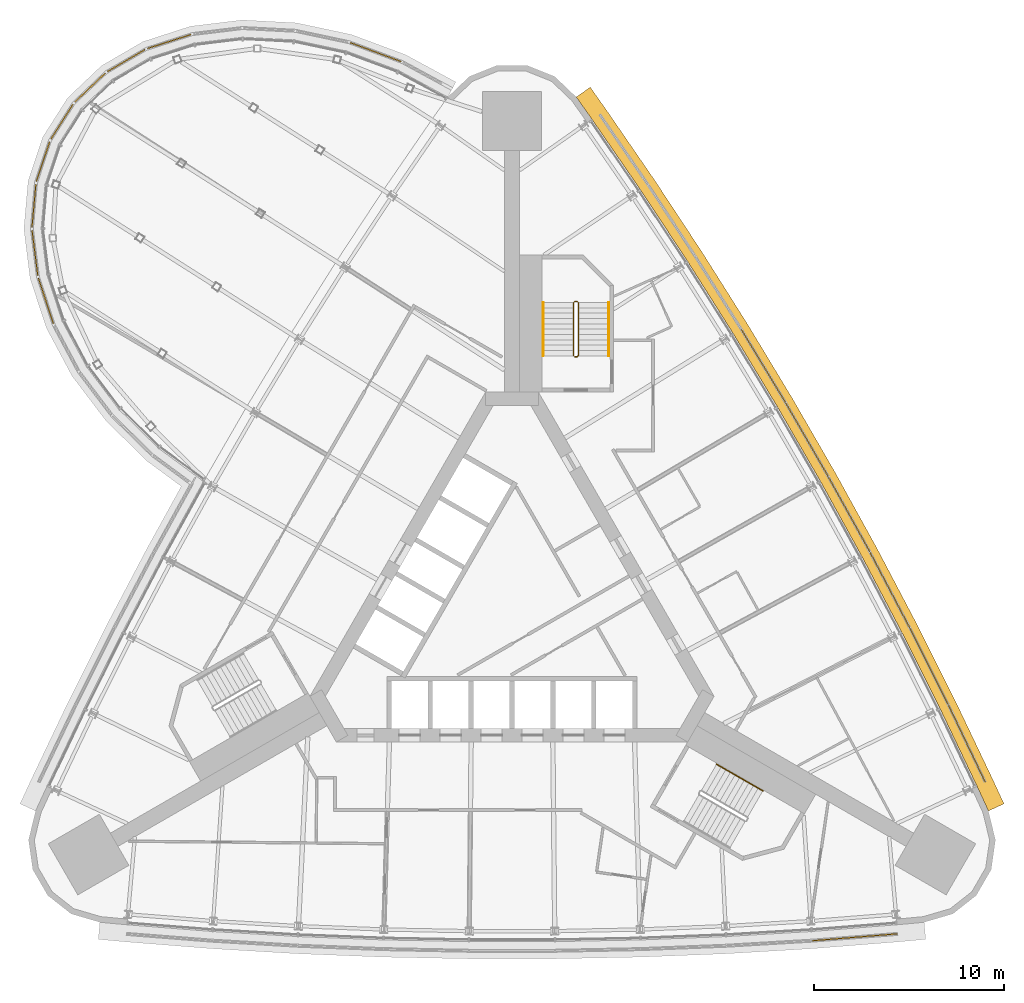
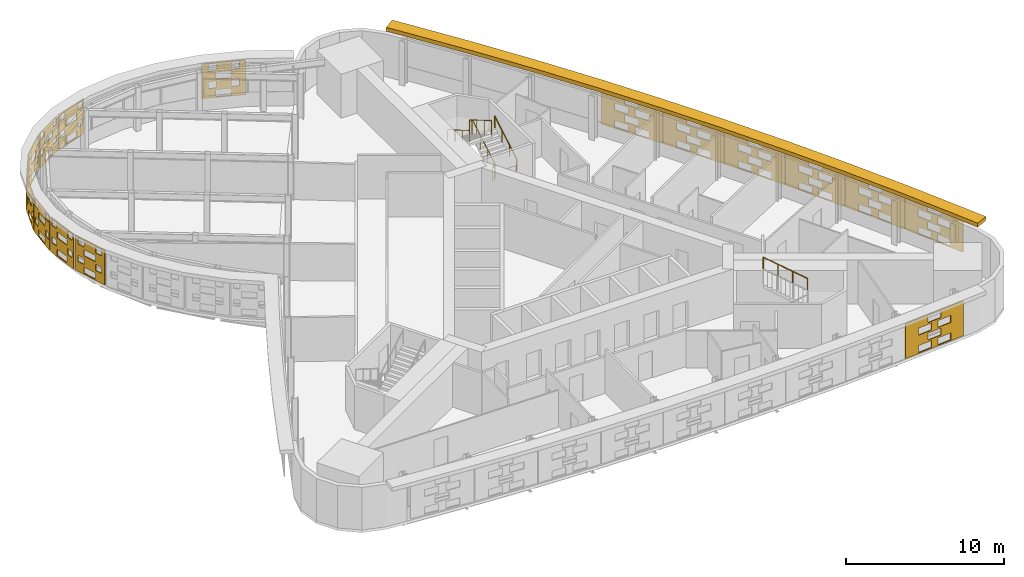
# One storey, part 16 of 17: 17 shading devices, 4 railings.
"""IFC4 building model written with IfcOpenShell, lengths in metres."""

from ifc_helpers import new_model, si_unit, direction, frame, origin, origin_2d, place, context, subcontext, project, spatial, polyline, circle, outline, extrude, material, layer, layer_set, material_profile, profile_set, type_object, element, save


model = new_model("IFC4")

# Units and contexts
model_context = context("Model", 3, precision=1e-05, world=origin(), true_north=direction((0.0, 1.0)))
body_context = subcontext(model_context, "Body", "Model", "MODEL_VIEW")
ifc_project = project(units=[si_unit("LENGTHUNIT", "METRE"), si_unit("AREAUNIT", "SQUARE_METRE"), si_unit("VOLUMEUNIT", "CUBIC_METRE"), si_unit("PLANEANGLEUNIT", "RADIAN"), si_unit("MASSUNIT", "GRAM", prefix="KILO")], contexts=[model_context])

# Site, building, storey
site_placement = place(None, origin())
site = spatial("IfcSite", under=ifc_project, at=site_placement, CompositionType="ELEMENT")
building_placement = place(site_placement, origin())
building = spatial("IfcBuilding", under=site, at=building_placement, Name="Noor Cloister Tower", CompositionType="ELEMENT")
storey_placement = place(building_placement, frame((0.0, 0.0, 102.300048828125)))
storey = spatial("IfcBuildingStorey", under=building, at=storey_placement, Name="L26", CompositionType="ELEMENT", Elevation=102.300048828125)

# Shading devices
ifc_material_1 = material(Name="Limestone", Category="masonry")
ifc_material_profile = material_profile(ifc_material_1, outline(polyline([(-2.22998046875, -1.35009765625), (2.22998046875, -1.35009765625), (2.22998046875, 1.35009765625), (-2.22998046875, 1.35009765625), (-2.22998046875, -1.35009765625)]), holes=[polyline([(-1.25, -1.282470703125), (-0.25, -1.282470703125), (-0.25, -0.742431640625), (-1.25, -0.742431640625), (-1.25, -1.282470703125)]), polyline([(0.25, -1.282470703125), (1.25, -1.282470703125), (1.25, -0.742431640625), (0.25, -0.742431640625), (0.25, -1.282470703125)]), polyline([(-0.5, -0.607421875), (0.5, -0.607421875), (0.5, -0.0673828125), (-0.5, -0.0673828125), (-0.5, -0.607421875)]), polyline([(-1.25, 0.0673828125), (-0.25, 0.0673828125), (-0.25, 0.607421875), (-1.25, 0.607421875), (-1.25, 0.0673828125)]), polyline([(0.25, 0.0673828125), (1.25, 0.0673828125), (1.25, 0.607421875), (0.25, 0.607421875), (0.25, 0.0673828125)]), polyline([(-0.5, 0.742431640625), (0.5, 0.742431640625), (0.5, 1.282470703125), (-0.5, 1.282470703125), (-0.5, 0.742431640625)])]), Name="Woven screen 28 percent open")
ifc_profile_set = profile_set([ifc_material_profile], Name="Limestone")
shading_device_type_1 = type_object("IfcShadingDeviceType", Name="SCREEN woven limestone 28 percent open", PredefinedType="USERDEFINED", material=ifc_profile_set)
for number, where, z_axis, x_axis, name in (
    (1, (18.015869140625, -17.15673828125, 1.849853515625), (0.081362009455, -0.996684615823, 0.0), (0.996684615823, 0.081362009455, 0.0), "SCREEN L26 9"),
    (2, (23.8662109375, -7.02392578125, 1.849853515625), (0.902409201061, 0.430880068975, 0.0), (-0.430880068975, 0.902409201061, 0.0), "SCREEN L26 1"),
    (3, (21.885986328125, -2.973388671875, 1.849853515625), (0.894427191, 0.4472135955, 0.0), (-0.4472135955, 0.894427191, 0.0), "SCREEN L26 2"),
):
    element("IfcShadingDevice", number, at=place(storey_placement, frame(where, z_axis=z_axis, x_axis=x_axis)), inside=storey, type_object=shading_device_type_1, Name=name, ObjectType="SCREEN", PredefinedType="USERDEFINED", context=body_context, shape_type="SweptSolid", body=[
        extrude(outline(polyline([(-2.22998046875, -1.35009765625), (2.22998046875, -1.35009765625), (2.22998046875, 1.35009765625), (-2.22998046875, 1.35009765625), (-2.22998046875, -1.35009765625)]), holes=[polyline([(-1.25, -1.282470703125), (-0.25, -1.282470703125), (-0.25, -0.742431640625), (-1.25, -0.742431640625), (-1.25, -1.282470703125)]), polyline([(0.25, -1.282470703125), (1.25, -1.282470703125), (1.25, -0.742431640625), (0.25, -0.742431640625), (0.25, -1.282470703125)]), polyline([(-0.5, -0.607421875), (0.5, -0.607421875), (0.5, -0.0673828125), (-0.5, -0.0673828125), (-0.5, -0.607421875)]), polyline([(-1.25, 0.0673828125), (-0.25, 0.0673828125), (-0.25, 0.607421875), (-1.25, 0.607421875), (-1.25, 0.0673828125)]), polyline([(0.25, 0.0673828125), (1.25, 0.0673828125), (1.25, 0.607421875), (0.25, 0.607421875), (0.25, 0.0673828125)]), polyline([(-0.5, 0.742431640625), (0.5, 0.742431640625), (0.5, 1.282470703125), (-0.5, 1.282470703125), (-0.5, 0.742431640625)])]), origin(), (0.0, 0.0, 1.0), 0.06005859375),
    ])
shading_device_1_placement = place(storey_placement, frame((19.82666015625, 1.037353515625, 1.849853515625), z_axis=(0.885271944608, 0.465073740486, 0.0), x_axis=(-0.465073740486, 0.885271944608, 0.0)))
element("IfcShadingDevice", 4, at=shading_device_1_placement, inside=storey, type_object=shading_device_type_1, Name="SCREEN L26 3", ObjectType="SCREEN", PredefinedType="USERDEFINED", context=body_context, shape_type="SweptSolid", body=[
    extrude(outline(polyline([(-2.22998046875, -1.35009765625), (2.22998046875, -1.35009765625), (2.22998046875, 1.35009765625), (-2.22998046875, 1.35009765625), (-2.22998046875, -1.35009765625)]), holes=[polyline([(-1.25, -1.282470703125), (-0.25, -1.282470703125), (-0.25, -0.742431640625), (-1.25, -0.742431640625), (-1.25, -1.282470703125)]), polyline([(0.25, -1.282470703125), (1.25, -1.282470703125), (1.25, -0.742431640625), (0.25, -0.742431640625), (0.25, -1.282470703125)]), polyline([(-0.5, -0.607421875), (0.5, -0.607421875), (0.5, -0.0673828125), (-0.5, -0.0673828125), (-0.5, -0.607421875)]), polyline([(-1.25, 0.0673828125), (-0.25, 0.0673828125), (-0.25, 0.607421875), (-1.25, 0.607421875), (-1.25, 0.0673828125)]), polyline([(0.25, 0.0673828125), (1.25, 0.0673828125), (1.25, 0.607421875), (0.25, 0.607421875), (0.25, 0.0673828125)]), polyline([(-0.5, 0.742431640625), (0.5, 0.742431640625), (0.5, 1.282470703125), (-0.5, 1.282470703125), (-0.5, 0.742431640625)])]), origin(), (0.0, 0.0, 1.0), 0.059814453125),
])
for number, where, z_axis, x_axis, name in (
    (5, (17.6884765625, 5.006591796875, 1.849853515625), (0.874923997532, 0.484260259099, 0.0), (-0.484260259099, 0.874923997532, 0.0), "SCREEN L26 4"),
    (6, (15.47265625, 8.93310546875, 1.849853515625), (0.865982457891, 0.500074377092, 0.0), (-0.500074377092, 0.865982457891, 0.0), "SCREEN L26 5"),
):
    element("IfcShadingDevice", number, at=place(storey_placement, frame(where, z_axis=z_axis, x_axis=x_axis)), inside=storey, type_object=shading_device_type_1, Name=name, ObjectType="SCREEN", PredefinedType="USERDEFINED", context=body_context, shape_type="SweptSolid", body=[
        extrude(outline(polyline([(-2.22998046875, -1.35009765625), (2.22998046875, -1.35009765625), (2.22998046875, 1.35009765625), (-2.22998046875, 1.35009765625), (-2.22998046875, -1.35009765625)]), holes=[polyline([(-1.25, -1.282470703125), (-0.25, -1.282470703125), (-0.25, -0.742431640625), (-1.25, -0.742431640625), (-1.25, -1.282470703125)]), polyline([(0.25, -1.282470703125), (1.25, -1.282470703125), (1.25, -0.742431640625), (0.25, -0.742431640625), (0.25, -1.282470703125)]), polyline([(-0.5, -0.607421875), (0.5, -0.607421875), (0.5, -0.0673828125), (-0.5, -0.0673828125), (-0.5, -0.607421875)]), polyline([(-1.25, 0.0673828125), (-0.25, 0.0673828125), (-0.25, 0.607421875), (-1.25, 0.607421875), (-1.25, 0.0673828125)]), polyline([(0.25, 0.0673828125), (1.25, 0.0673828125), (1.25, 0.607421875), (0.25, 0.607421875), (0.25, 0.0673828125)]), polyline([(-0.5, 0.742431640625), (0.5, 0.742431640625), (0.5, 1.282470703125), (-0.5, 1.282470703125), (-0.5, 0.742431640625)])]), origin(), (0.0, 0.0, 1.0), 0.06005859375),
    ])
shading_device_2_placement = place(storey_placement, frame((13.18017578125, 12.8154296875, 1.849853515625), z_axis=(0.855690023312, 0.517488728384, 0.0), x_axis=(-0.517488728384, 0.855690023312, 0.0)))
element("IfcShadingDevice", 7, at=shading_device_2_placement, inside=storey, type_object=shading_device_type_1, Name="SCREEN L26 6", ObjectType="SCREEN", PredefinedType="USERDEFINED", context=body_context, shape_type="SweptSolid", body=[
    extrude(outline(polyline([(-2.22998046875, -1.35009765625), (2.22998046875, -1.35009765625), (2.22998046875, 1.35009765625), (-2.22998046875, 1.35009765625), (-2.22998046875, -1.35009765625)]), holes=[polyline([(-1.25, -1.282470703125), (-0.25, -1.282470703125), (-0.25, -0.742431640625), (-1.25, -0.742431640625), (-1.25, -1.282470703125)]), polyline([(0.25, -1.282470703125), (1.25, -1.282470703125), (1.25, -0.742431640625), (0.25, -0.742431640625), (0.25, -1.282470703125)]), polyline([(-0.5, -0.607421875), (0.5, -0.607421875), (0.5, -0.0673828125), (-0.5, -0.0673828125), (-0.5, -0.607421875)]), polyline([(-1.25, 0.0673828125), (-0.25, 0.0673828125), (-0.25, 0.607421875), (-1.25, 0.607421875), (-1.25, 0.0673828125)]), polyline([(0.25, 0.0673828125), (1.25, 0.0673828125), (1.25, 0.607421875), (0.25, 0.607421875), (0.25, 0.0673828125)]), polyline([(-0.5, 0.742431640625), (0.5, 0.742431640625), (0.5, 1.282470703125), (-0.5, 1.282470703125), (-0.5, 0.742431640625)])]), origin(), (0.0, 0.0, 1.0), 0.059814453125),
])
ifc_material_2 = material(Name="Limestone", Category="masonry")
ifc_layer = layer(ifc_material_2, 0.06005859375)
ifc_layer_set = layer_set([ifc_layer], Name="SCREEN woven limestone pod 28 percent open")
shading_device_type_2 = type_object("IfcShadingDeviceType", Name="SCREEN woven limestone pod 28 percent open", PredefinedType="USERDEFINED", material=ifc_layer_set)
shading_device_3_placement = place(storey_placement, frame((-7.169677734375, 29.285888671875, 1.849853515625), z_axis=(0.348899454527, 0.937160162742, 0.0), x_axis=(-0.937160162742, 0.348899454527, 0.0)))
element("IfcShadingDevice", 8, at=shading_device_3_placement, inside=storey, type_object=shading_device_type_2, Name="SCREEN L26 2", ObjectType="SCREEN", PredefinedType="USERDEFINED", context=body_context, shape_type="SweptSolid", body=[
    extrude(outline(polyline([(-1.431640625, -1.35009765625), (1.431640625, -1.35009765625), (1.431640625, 1.35009765625), (-1.431640625, 1.35009765625), (-1.431640625, -1.35009765625)]), holes=[polyline([(-0.5, -1.282470703125), (0.5, -1.282470703125), (0.5, -0.742431640625), (-0.5, -0.742431640625), (-0.5, -1.282470703125)]), polyline([(-1.0, -0.607421875), (-0.5, -0.607421875), (-0.5, -0.0673828125), (-1.0, -0.0673828125), (-1.0, -0.607421875)]), polyline([(0.5, -0.607421875), (1.0, -0.607421875), (1.0, -0.0673828125), (0.5, -0.0673828125), (0.5, -0.607421875)]), polyline([(-0.5, 0.0673828125), (0.5, 0.0673828125), (0.5, 0.607421875), (-0.5, 0.607421875), (-0.5, 0.0673828125)]), polyline([(-1.0, 0.742431640625), (-0.5, 0.742431640625), (-0.5, 1.282470703125), (-1.0, 1.282470703125), (-1.0, 0.742431640625)]), polyline([(0.5, 0.742431640625), (1.0, 0.742431640625), (1.0, 1.282470703125), (0.5, 1.282470703125), (0.5, 0.742431640625)])]), origin(), (0.0, 0.0, 1.0), 0.06005859375),
])
shading_device_4_placement = place(storey_placement, frame((-17.99951171875, 29.841796875, 1.849853515625), z_axis=(-0.305218682065, 0.952282288042, 0.0), x_axis=(-0.952282288042, -0.305218682065, 0.0)))
element("IfcShadingDevice", 9, at=shading_device_4_placement, inside=storey, type_object=shading_device_type_2, Name="SCREEN L26 6", ObjectType="SCREEN", PredefinedType="USERDEFINED", context=body_context, shape_type="SweptSolid", body=[
    extrude(outline(polyline([(-1.198486328125, -1.35009765625), (1.198486328125, -1.35009765625), (1.198486328125, 1.35009765625), (-1.198486328125, 1.35009765625), (-1.198486328125, -1.35009765625)]), holes=[polyline([(-0.5, -1.251220703125), (0.5, -1.251220703125), (0.5, -0.773681640625), (-0.5, -0.773681640625), (-0.5, -1.251220703125)]), polyline([(0.60009765625, -0.576416015625), (1.048583984375, -0.576416015625), (1.048583984375, -0.0986328125), (0.60009765625, -0.0986328125), (0.60009765625, -0.576416015625)]), polyline([(-1.048583984375, -0.576416015625), (-0.60009765625, -0.576416015625), (-0.60009765625, -0.0986328125), (-1.048583984375, -0.0986328125), (-1.048583984375, -0.576416015625)]), polyline([(-0.5, 0.0986328125), (0.5, 0.0986328125), (0.5, 0.576416015625), (-0.5, 0.576416015625), (-0.5, 0.0986328125)]), polyline([(0.60009765625, 0.773681640625), (1.048583984375, 0.773681640625), (1.048583984375, 1.251220703125), (0.60009765625, 1.251220703125), (0.60009765625, 0.773681640625)]), polyline([(-1.048583984375, 0.773681640625), (-0.60009765625, 0.773681640625), (-0.60009765625, 1.251220703125), (-1.048583984375, 1.251220703125), (-1.048583984375, 0.773681640625)])]), origin(), (0.0, 0.0, 1.0), 0.06005859375),
])
shading_device_5_placement = place(storey_placement, frame((-20.248291015625, 28.844970703125, 1.849853515625), z_axis=(-0.504883315038, 0.863187603129, 0.0), x_axis=(-0.863187603129, -0.504883315038, 0.0)))
element("IfcShadingDevice", 10, at=shading_device_5_placement, inside=storey, type_object=shading_device_type_2, Name="SCREEN L26 7", ObjectType="SCREEN", PredefinedType="USERDEFINED", context=body_context, shape_type="SweptSolid", body=[
    extrude(outline(polyline([(-1.13916015625, -1.35009765625), (1.13916015625, -1.35009765625), (1.13916015625, 1.35009765625), (-1.13916015625, 1.35009765625), (-1.13916015625, -1.35009765625)]), holes=[polyline([(-0.5, -1.254638671875), (0.5, -1.254638671875), (0.5, -0.770263671875), (-0.5, -0.770263671875), (-0.5, -1.254638671875)]), polyline([(0.60009765625, -0.57958984375), (0.9892578125, -0.57958984375), (0.9892578125, -0.095458984375), (0.60009765625, -0.095458984375), (0.60009765625, -0.57958984375)]), polyline([(-0.9892578125, -0.57958984375), (-0.60009765625, -0.57958984375), (-0.60009765625, -0.095458984375), (-0.9892578125, -0.095458984375), (-0.9892578125, -0.57958984375)]), polyline([(-0.5, 0.095458984375), (0.5, 0.095458984375), (0.5, 0.57958984375), (-0.5, 0.57958984375), (-0.5, 0.095458984375)]), polyline([(0.60009765625, 0.770263671875), (0.9892578125, 0.770263671875), (0.9892578125, 1.254638671875), (0.60009765625, 1.254638671875), (0.60009765625, 0.770263671875)]), polyline([(-0.9892578125, 0.770263671875), (-0.60009765625, 0.770263671875), (-0.60009765625, 1.254638671875), (-0.9892578125, 1.254638671875), (-0.9892578125, 0.770263671875)])]), origin(), (0.0, 0.0, 1.0), 0.06005859375),
])
shading_device_6_placement = place(storey_placement, frame((-22.145263671875, 27.42919921875, 1.849853515625), z_axis=(-0.688535283471, 0.725202842945, 0.0), x_axis=(-0.725202842945, -0.688535283471, 0.0)))
element("IfcShadingDevice", 11, at=shading_device_6_placement, inside=storey, type_object=shading_device_type_2, Name="SCREEN L26 8", ObjectType="SCREEN", PredefinedType="USERDEFINED", context=body_context, shape_type="SweptSolid", body=[
    extrude(outline(polyline([(-1.098388671875, -1.35009765625), (1.098388671875, -1.35009765625), (1.098388671875, 1.35009765625), (-1.098388671875, 1.35009765625), (-1.098388671875, -1.35009765625)]), holes=[polyline([(-0.5, -1.257080078125), (0.5, -1.257080078125), (0.5, -0.767822265625), (-0.5, -0.767822265625), (-0.5, -1.257080078125)]), polyline([(0.60009765625, -0.582275390625), (0.948486328125, -0.582275390625), (0.948486328125, -0.0927734375), (0.60009765625, -0.0927734375), (0.60009765625, -0.582275390625)]), polyline([(-0.948486328125, -0.582275390625), (-0.60009765625, -0.582275390625), (-0.60009765625, -0.0927734375), (-0.948486328125, -0.0927734375), (-0.948486328125, -0.582275390625)]), polyline([(-0.5, 0.0927734375), (0.5, 0.0927734375), (0.5, 0.582275390625), (-0.5, 0.582275390625), (-0.5, 0.0927734375)]), polyline([(0.60009765625, 0.767822265625), (0.948486328125, 0.767822265625), (0.948486328125, 1.257080078125), (0.60009765625, 1.257080078125), (0.60009765625, 0.767822265625)]), polyline([(-0.948486328125, 0.767822265625), (-0.60009765625, 0.767822265625), (-0.60009765625, 1.257080078125), (-0.948486328125, 1.257080078125), (-0.948486328125, 0.767822265625)])]), origin(), (0.0, 0.0, 1.0), 0.059814453125),
])
shading_device_7_placement = place(storey_placement, frame((-23.617919921875, 25.642578125, 1.849853515625), z_axis=(-0.844329420183, 0.535824439731, 0.0), x_axis=(-0.535824439731, -0.844329420183, 0.0)))
element("IfcShadingDevice", 12, at=shading_device_7_placement, inside=storey, type_object=shading_device_type_2, Name="SCREEN L26 9", ObjectType="SCREEN", PredefinedType="USERDEFINED", context=body_context, shape_type="SweptSolid", body=[
    extrude(outline(polyline([(-1.083740234375, -1.35009765625), (1.083740234375, -1.35009765625), (1.083740234375, 1.35009765625), (-1.083740234375, 1.35009765625), (-1.083740234375, -1.35009765625)]), holes=[polyline([(-0.5, -1.258056640625), (0.5, -1.258056640625), (0.5, -0.766845703125), (-0.5, -0.766845703125), (-0.5, -1.258056640625)]), polyline([(0.60009765625, -0.583251953125), (0.933837890625, -0.583251953125), (0.933837890625, -0.091796875), (0.60009765625, -0.091796875), (0.60009765625, -0.583251953125)]), polyline([(-0.933837890625, -0.583251953125), (-0.60009765625, -0.583251953125), (-0.60009765625, -0.091796875), (-0.933837890625, -0.091796875), (-0.933837890625, -0.583251953125)]), polyline([(-0.5, 0.091796875), (0.5, 0.091796875), (0.5, 0.583251953125), (-0.5, 0.583251953125), (-0.5, 0.091796875)]), polyline([(0.60009765625, 0.766845703125), (0.933837890625, 0.766845703125), (0.933837890625, 1.258056640625), (0.60009765625, 1.258056640625), (0.60009765625, 0.766845703125)]), polyline([(-0.933837890625, 0.766845703125), (-0.60009765625, 0.766845703125), (-0.60009765625, 1.258056640625), (-0.933837890625, 1.258056640625), (-0.933837890625, 0.766845703125)])]), origin(), (0.0, 0.0, 1.0), 0.06005859375),
])
shading_device_8_placement = place(storey_placement, frame((-24.610107421875, 23.55029296875, 1.849853515625), z_axis=(-0.94827552716, 0.317448459736, 0.0), x_axis=(-0.317448459736, -0.94827552716, 0.0)))
element("IfcShadingDevice", 13, at=shading_device_8_placement, inside=storey, type_object=shading_device_type_2, Name="SCREEN L26 10", ObjectType="SCREEN", PredefinedType="USERDEFINED", context=body_context, shape_type="SweptSolid", body=[
    extrude(outline(polyline([(-1.098388671875, -1.35009765625), (1.098388671875, -1.35009765625), (1.098388671875, 1.35009765625), (-1.098388671875, 1.35009765625), (-1.098388671875, -1.35009765625)]), holes=[polyline([(-0.5, -1.257080078125), (0.5, -1.257080078125), (0.5, -0.767822265625), (-0.5, -0.767822265625), (-0.5, -1.257080078125)]), polyline([(0.60009765625, -0.582275390625), (0.948486328125, -0.582275390625), (0.948486328125, -0.0927734375), (0.60009765625, -0.0927734375), (0.60009765625, -0.582275390625)]), polyline([(-0.948486328125, -0.582275390625), (-0.60009765625, -0.582275390625), (-0.60009765625, -0.0927734375), (-0.948486328125, -0.0927734375), (-0.948486328125, -0.582275390625)]), polyline([(-0.5, 0.0927734375), (0.5, 0.0927734375), (0.5, 0.582275390625), (-0.5, 0.582275390625), (-0.5, 0.0927734375)]), polyline([(0.60009765625, 0.767822265625), (0.948486328125, 0.767822265625), (0.948486328125, 1.257080078125), (0.60009765625, 1.257080078125), (0.60009765625, 0.767822265625)]), polyline([(-0.948486328125, 0.767822265625), (-0.60009765625, 0.767822265625), (-0.60009765625, 1.257080078125), (-0.948486328125, 1.257080078125), (-0.948486328125, 0.767822265625)])]), origin(), (0.0, 0.0, 1.0), 0.06005859375),
])
shading_device_9_placement = place(storey_placement, frame((-25.08642578125, 21.23193359375, 1.849853515625), z_axis=(-0.995959849254, 0.089799658539, 0.0), x_axis=(-0.089799658539, -0.995959849254, 0.0)))
element("IfcShadingDevice", 14, at=shading_device_9_placement, inside=storey, type_object=shading_device_type_2, Name="SCREEN L26 11", ObjectType="SCREEN", PredefinedType="USERDEFINED", context=body_context, shape_type="SweptSolid", body=[
    extrude(outline(polyline([(-1.13916015625, -1.35009765625), (1.13916015625, -1.35009765625), (1.13916015625, 1.35009765625), (-1.13916015625, 1.35009765625), (-1.13916015625, -1.35009765625)]), holes=[polyline([(-0.5, -1.254638671875), (0.5, -1.254638671875), (0.5, -0.770263671875), (-0.5, -0.770263671875), (-0.5, -1.254638671875)]), polyline([(0.60009765625, -0.57958984375), (0.9892578125, -0.57958984375), (0.9892578125, -0.095458984375), (0.60009765625, -0.095458984375), (0.60009765625, -0.57958984375)]), polyline([(-0.9892578125, -0.57958984375), (-0.60009765625, -0.57958984375), (-0.60009765625, -0.095458984375), (-0.9892578125, -0.095458984375), (-0.9892578125, -0.57958984375)]), polyline([(-0.5, 0.095458984375), (0.5, 0.095458984375), (0.5, 0.57958984375), (-0.5, 0.57958984375), (-0.5, 0.095458984375)]), polyline([(0.60009765625, 0.770263671875), (0.9892578125, 0.770263671875), (0.9892578125, 1.254638671875), (0.60009765625, 1.254638671875), (0.60009765625, 0.770263671875)]), polyline([(-0.9892578125, 0.770263671875), (-0.60009765625, 0.770263671875), (-0.60009765625, 1.254638671875), (-0.9892578125, 1.254638671875), (-0.9892578125, 0.770263671875)])]), origin(), (0.0, 0.0, 1.0), 0.059814453125),
])
shading_device_10_placement = place(storey_placement, frame((-25.033935546875, 18.7724609375, 1.849853515625), z_axis=(-0.992025662364, -0.126036047268, 0.0), x_axis=(0.126036047268, -0.992025662364, 0.0)))
element("IfcShadingDevice", 15, at=shading_device_10_placement, inside=storey, type_object=shading_device_type_2, Name="SCREEN L26 12", ObjectType="SCREEN", PredefinedType="USERDEFINED", context=body_context, shape_type="SweptSolid", body=[
    extrude(outline(polyline([(-1.198486328125, -1.35009765625), (1.198486328125, -1.35009765625), (1.198486328125, 1.35009765625), (-1.198486328125, 1.35009765625), (-1.198486328125, -1.35009765625)]), holes=[polyline([(-0.5, -1.251220703125), (0.5, -1.251220703125), (0.5, -0.773681640625), (-0.5, -0.773681640625), (-0.5, -1.251220703125)]), polyline([(0.60009765625, -0.576416015625), (1.048583984375, -0.576416015625), (1.048583984375, -0.0986328125), (0.60009765625, -0.0986328125), (0.60009765625, -0.576416015625)]), polyline([(-1.048583984375, -0.576416015625), (-0.60009765625, -0.576416015625), (-0.60009765625, -0.0986328125), (-1.048583984375, -0.0986328125), (-1.048583984375, -0.576416015625)]), polyline([(-0.5, 0.0986328125), (0.5, 0.0986328125), (0.5, 0.576416015625), (-0.5, 0.576416015625), (-0.5, 0.0986328125)]), polyline([(0.60009765625, 0.773681640625), (1.048583984375, 0.773681640625), (1.048583984375, 1.251220703125), (0.60009765625, 1.251220703125), (0.60009765625, 0.773681640625)]), polyline([(-1.048583984375, 0.773681640625), (-0.60009765625, 0.773681640625), (-0.60009765625, 1.251220703125), (-1.048583984375, 1.251220703125), (-1.048583984375, 0.773681640625)])]), origin(), (0.0, 0.0, 1.0), 0.06005859375),
])
shading_device_11_placement = place(storey_placement, frame((-24.46044921875, 16.257568359375, 1.849853515625), z_axis=(-0.949495164524, -0.313781663813, 0.0), x_axis=(0.313781663813, -0.949495164524, 0.0)))
element("IfcShadingDevice", 16, at=shading_device_11_placement, inside=storey, type_object=shading_device_type_2, Name="SCREEN L26 13", ObjectType="SCREEN", PredefinedType="USERDEFINED", context=body_context, shape_type="SweptSolid", body=[
    extrude(outline(polyline([(-1.266357421875, -1.35009765625), (1.266357421875, -1.35009765625), (1.266357421875, 1.35009765625), (-1.266357421875, 1.35009765625), (-1.266357421875, -1.35009765625)]), holes=[polyline([(-0.5, -1.251708984375), (0.5, -1.251708984375), (0.5, -0.773193359375), (-0.5, -0.773193359375), (-0.5, -1.251708984375)]), polyline([(-1.0, -0.576904296875), (-0.5, -0.576904296875), (-0.5, -0.09814453125), (-1.0, -0.09814453125), (-1.0, -0.576904296875)]), polyline([(0.5, -0.576904296875), (1.0, -0.576904296875), (1.0, -0.09814453125), (0.5, -0.09814453125), (0.5, -0.576904296875)]), polyline([(-0.5, 0.09814453125), (0.5, 0.09814453125), (0.5, 0.576904296875), (-0.5, 0.576904296875), (-0.5, 0.09814453125)]), polyline([(-1.0, 0.773193359375), (-0.5, 0.773193359375), (-0.5, 1.251708984375), (-1.0, 1.251708984375), (-1.0, 0.773193359375)]), polyline([(0.5, 0.773193359375), (1.0, 0.773193359375), (1.0, 1.251708984375), (0.5, 1.251708984375), (0.5, 0.773193359375)])]), origin(), (0.0, 0.0, 1.0), 0.059814453125),
])
ifc_material_3 = material(Name="Limestone", Category="masonry")
shading_device_type_3 = type_object("IfcShadingDeviceType", Name="SUNSHADE limestone band 900", PredefinedType="USERDEFINED", material=ifc_material_3)
shading_device_12_placement = place(storey_placement, frame((0.0, 0.0, 3.300048828125)))
element("IfcShadingDevice", 17, at=shading_device_12_placement, inside=storey, type_object=shading_device_type_3, Name="SUNSHADE L26 3", ObjectType="SUNSHADE", PredefinedType="USERDEFINED", context=body_context, shape_type="SweptSolid", body=[
    extrude(outline(polyline([(25.846923828125, -10.17626953125), (25.2431640625, -8.866455078125), (23.30029296875, -4.791259765625), (21.2763671875, -0.75244140625), (19.17333984375, 3.245849609375), (16.991943359375, 7.201904296875), (14.733154296875, 11.114501953125), (12.397705078125, 14.981689453125), (9.986572265625, 18.802001953125), (7.5009765625, 22.57421875), (4.943115234375, 26.29443359375), (4.110595703125, 27.47216796875), (3.37548828125, 26.95263671875), (4.204833984375, 25.77978515625), (6.754150390625, 22.07177734375), (9.230224609375, 18.314208984375), (11.6318359375, 14.5087890625), (13.9580078125, 10.65673828125), (16.2080078125, 6.759765625), (18.380859375, 2.819091796875), (20.475830078125, -1.16357421875), (22.49169921875, -5.1865234375), (24.42822265625, -9.24853515625), (25.029541015625, -10.552978515625), (25.846923828125, -10.17626953125)])), origin(), (0.0, 0.0, 1.0), 0.2998046875),
])

# Railings
ifc_material_4 = material(Name="Stainless steel", Category="steel")
railing_type_1 = type_object("IfcRailingType", Name="Stair guard 1100", PredefinedType="GUARDRAIL", material=ifc_material_4)
railing_1_placement = place(storey_placement, frame((3.435546875, 13.306396484375, 0.0)))
element("IfcRailing", 18, at=railing_1_placement, inside=storey, type_object=railing_type_1, Name="Stair guard ST1 L26", PredefinedType="GUARDRAIL", context=body_context, shape_type="SweptSolid", body=[
    extrude(circle(Radius=0.02392578125, at=origin_2d()), frame((0.0, 0.0, 1.076171875), z_axis=(-1.0, 0.0, 0.0), x_axis=(0.0, -1.0, 0.0)), (0.0, 0.0, 1.0), 0.14990234375),
    extrude(circle(Radius=0.02392578125, at=origin_2d()), frame((-0.14990234375, 0.0, 1.076171875), z_axis=(0.759870394187, 0.190199549216, 0.621627795), x_axis=(-0.242814311512, 0.970072785993, 0.0)), (0.0, 0.0, 1.0), 0.26318359375),
    extrude(circle(Radius=0.02392578125, at=origin_2d()), frame((0.050048828125, 0.050048828125, 1.23974609375), z_axis=(0.0, 0.863360870873, 0.504586966384), x_axis=(-1.0, 0.0, 0.0)), (0.0, 0.0, 1.0), 3.2431640625),
    extrude(circle(Radius=0.02392578125, at=origin_2d()), frame((0.050048828125, 2.85009765625, 2.8759765625), z_axis=(-0.708833529934, 0.705375805398, 0.0), x_axis=(-0.705375805398, -0.708833529934, 0.0)), (0.0, 0.0, 1.0), 0.070556640625),
    extrude(circle(Radius=0.02392578125, at=origin_2d()), frame((0.0, 2.89990234375, 2.8759765625), z_axis=(-1.0, 0.0, 0.0), x_axis=(0.0, -1.0, 0.0)), (0.0, 0.0, 1.0), 0.14990234375),
    extrude(circle(Radius=0.02392578125, at=origin_2d()), frame((-0.14990234375, 2.89990234375, 2.8759765625), z_axis=(-0.280916556609, -0.279546231943, 0.91811752648), x_axis=(0.705375805398, -0.708833529934, 0.0)), (0.0, 0.0, 1.0), 0.17822265625),
    extrude(circle(Radius=0.02392578125, at=origin_2d()), frame((-0.199951171875, 2.85009765625, 3.03955078125), z_axis=(0.0, -0.863393664356, 0.504530851732), x_axis=(1.0, 0.0, 0.0)), (0.0, 0.0, 1.0), 3.2431640625),
    extrude(circle(Radius=0.02099609375, at=origin_2d()), origin(), (0.0, 0.0, 1.0), 1.052001953125),
    extrude(circle(Radius=0.02099609375, at=origin_2d()), frame((-0.14990234375, 0.0, 0.0)), (0.0, 0.0, 1.0), 1.052001953125),
    extrude(circle(Radius=0.02099609375, at=origin_2d()), frame((0.050048828125, 0.050048828125, 0.16357421875)), (0.0, 0.0, 1.0), 1.052001953125),
    extrude(circle(Radius=0.02099609375, at=origin_2d()), frame((0.050048828125, 0.9833984375, 0.708984375)), (0.0, 0.0, 1.0), 1.052001953125),
    extrude(circle(Radius=0.02099609375, at=origin_2d()), frame((0.050048828125, 1.916748046875, 1.254638671875)), (0.0, 0.0, 1.0), 1.052001953125),
    extrude(circle(Radius=0.02099609375, at=origin_2d()), frame((0.050048828125, 2.85009765625, 1.800048828125)), (0.0, 0.0, 1.0), 1.052001953125),
    extrude(circle(Radius=0.02099609375, at=origin_2d()), frame((0.0, 2.89990234375, 1.800048828125)), (0.0, 0.0, 1.0), 1.052001953125),
    extrude(circle(Radius=0.02099609375, at=origin_2d()), frame((-0.14990234375, 2.89990234375, 1.800048828125)), (0.0, 0.0, 1.0), 1.052001953125),
    extrude(circle(Radius=0.02099609375, at=origin_2d()), frame((-0.199951171875, 2.85009765625, 1.963623046875)), (0.0, 0.0, 1.0), 1.052001953125),
    extrude(circle(Radius=0.02099609375, at=origin_2d()), frame((-0.199951171875, 1.916748046875, 2.509033203125)), (0.0, 0.0, 1.0), 1.052001953125),
    extrude(circle(Radius=0.02099609375, at=origin_2d()), frame((-0.199951171875, 0.9833984375, 3.054443359375)), (0.0, 0.0, 1.0), 1.052001953125),
    extrude(circle(Radius=0.02099609375, at=origin_2d()), frame((-0.199951171875, 0.050048828125, 3.599853515625)), (0.0, 0.0, 1.0), 1.052001953125),
])
ifc_material_5 = material(Name="Stainless steel", Category="steel")
railing_type_2 = type_object("IfcRailingType", Name="Stair handrail 900", PredefinedType="HANDRAIL", material=ifc_material_5)
railing_2_placement = place(storey_placement, frame((5.085693359375, 13.3564453125, 0.16357421875)))
element("IfcRailing", 19, at=railing_2_placement, inside=storey, type_object=railing_type_2, Name="Stair handrail ST1 L26 1", PredefinedType="HANDRAIL", context=body_context, shape_type="SweptSolid", body=[
    extrude(circle(Radius=0.02392578125, at=origin_2d()), frame((0.0, 0.0, 0.8759765625), z_axis=(0.0, 0.863360870873, 0.504586966384), x_axis=(-1.0, 0.0, 0.0)), (0.0, 0.0, 1.0), 3.2431640625),
    extrude(circle(Radius=0.02099609375, at=origin_2d()), origin(), (0.0, 0.0, 1.0), 0.851806640625),
    extrude(circle(Radius=0.02099609375, at=origin_2d()), frame((0.0, 0.933349609375, 0.54541015625)), (0.0, 0.0, 1.0), 0.851806640625),
    extrude(circle(Radius=0.02099609375, at=origin_2d()), frame((0.0, 1.86669921875, 1.091064453125)), (0.0, 0.0, 1.0), 0.851806640625),
    extrude(circle(Radius=0.02099609375, at=origin_2d()), frame((0.0, 2.800048828125, 1.636474609375)), (0.0, 0.0, 1.0), 0.851806640625),
])
railing_3_placement = place(storey_placement, frame((1.6357421875, 16.156494140625, 1.963623046875)))
element("IfcRailing", 20, at=railing_3_placement, inside=storey, type_object=railing_type_2, Name="Stair handrail ST1 L26 2", PredefinedType="HANDRAIL", context=body_context, shape_type="SweptSolid", body=[
    extrude(circle(Radius=0.02392578125, at=origin_2d()), frame((0.0, 0.0, 0.8759765625), z_axis=(0.0, -0.863393664356, 0.504530851732), x_axis=(1.0, 0.0, 0.0)), (0.0, 0.0, 1.0), 3.2431640625),
    extrude(circle(Radius=0.02099609375, at=origin_2d()), origin(), (0.0, 0.0, 1.0), 0.851806640625),
    extrude(circle(Radius=0.02099609375, at=origin_2d()), frame((0.0, -0.933349609375, 0.54541015625)), (0.0, 0.0, 1.0), 0.851806640625),
    extrude(circle(Radius=0.02099609375, at=origin_2d()), frame((0.0, -1.86669921875, 1.0908203125)), (0.0, 0.0, 1.0), 0.851806640625),
    extrude(circle(Radius=0.02099609375, at=origin_2d()), frame((0.0, -2.800048828125, 1.63623046875)), (0.0, 0.0, 1.0), 0.851806640625),
])
railing_4_placement = place(storey_placement, frame((13.174072265625, -9.49462890625, 1.963623046875)))
element("IfcRailing", 21, at=railing_4_placement, inside=storey, type_object=railing_type_2, Name="Stair handrail ST3 L26 2", PredefinedType="HANDRAIL", context=body_context, shape_type="SweptSolid", body=[
    extrude(circle(Radius=0.02392578125, at=origin_2d()), frame((0.0, 0.0, 0.8759765625), z_axis=(-0.74771821388, 0.431677027627, 0.504551698492), x_axis=(-0.49998411664, -0.866034573852, 0.0)), (0.0, 0.0, 1.0), 3.242919921875),
    extrude(circle(Radius=0.02099609375, at=origin_2d()), origin(), (0.0, 0.0, 1.0), 0.851806640625),
    extrude(circle(Radius=0.02099609375, at=origin_2d()), frame((-0.808349609375, 0.466552734375, 0.54541015625)), (0.0, 0.0, 1.0), 0.851806640625),
    extrude(circle(Radius=0.02099609375, at=origin_2d()), frame((-1.616455078125, 0.933349609375, 1.0908203125)), (0.0, 0.0, 1.0), 0.851806640625),
    extrude(circle(Radius=0.02099609375, at=origin_2d()), frame((-2.4248046875, 1.39990234375, 1.63623046875)), (0.0, 0.0, 1.0), 0.851806640625),
])

save(model, "model.ifc")
